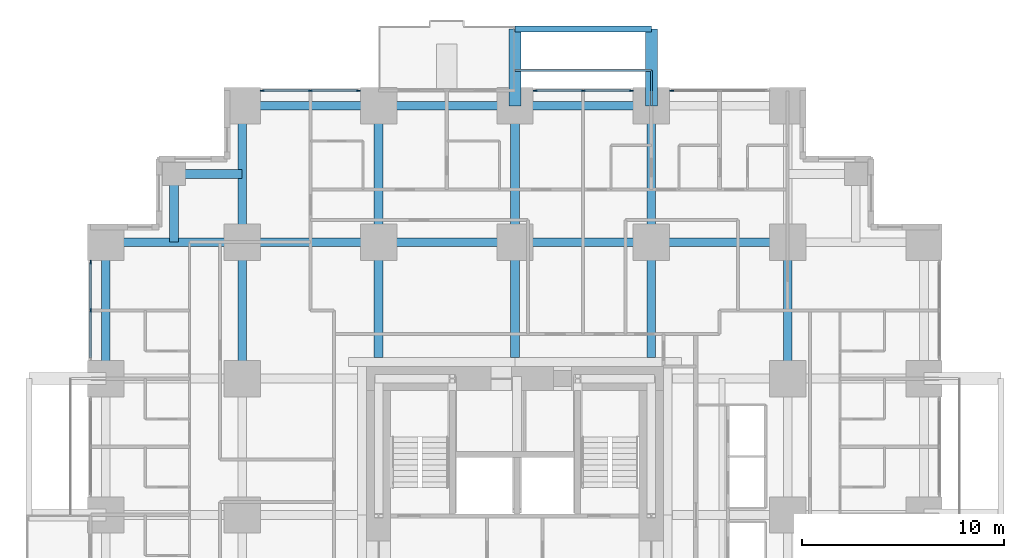
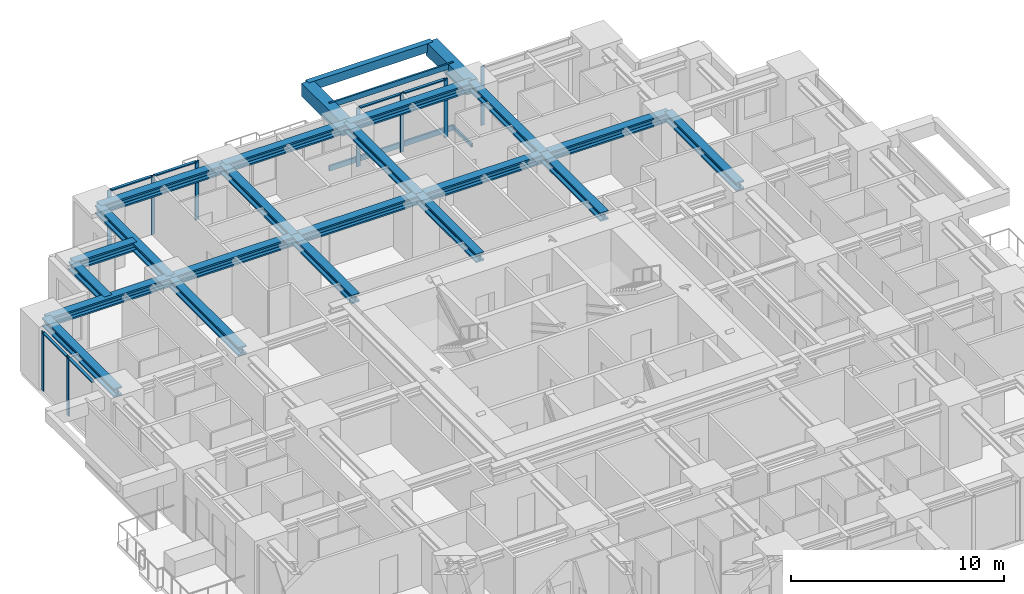
# One storey, part 5 of 15: 23 beams, 18 members, 4 elements without a shape of their own.
"""IFC4 building model written with IfcOpenShell, lengths in metres."""

from ifc_helpers import new_model, si_unit, direction, frame, origin, origin_2d, place, context, subcontext, project, spatial, rectangle, hollow_rectangle, i_section, extrude, material, material_profile, profile_set, type_object, element, aggregate, save


model = new_model("IFC4")

# Units and contexts
model_context = context("Model", 3, precision=1e-05, world=origin(), true_north=direction((0.0, 1.0)))
body_context = subcontext(model_context, "Body", "Model", "MODEL_VIEW")
ifc_project = project(units=[si_unit("LENGTHUNIT", "METRE"), si_unit("AREAUNIT", "SQUARE_METRE"), si_unit("VOLUMEUNIT", "CUBIC_METRE"), si_unit("PLANEANGLEUNIT", "RADIAN"), si_unit("MASSUNIT", "GRAM", prefix="KILO")], contexts=[model_context])

# Site, building, storey
site_placement = place(None, origin())
site = spatial("IfcSite", under=ifc_project, at=site_placement, CompositionType="ELEMENT")
building_placement = place(site_placement, origin())
building = spatial("IfcBuilding", under=site, at=building_placement, Name="Nyansa Garden Tower", CompositionType="ELEMENT")
storey_placement = place(building_placement, frame((0.0, 0.0, 61.199951171875)))
storey = spatial("IfcBuildingStorey", under=building, at=storey_placement, Name="L16", CompositionType="ELEMENT", Elevation=61.199951171875)

# Beams
ifc_material_1 = material(Name="Concrete C70/85", Category="concrete")
ifc_material_profile_1 = material_profile(ifc_material_1, rectangle(XDim=0.60009765625, YDim=0.75, at=origin_2d()), Name="RC 600x750")
ifc_profile_set_1 = profile_set([ifc_material_profile_1], Name="Concrete C70/85")
beam_type_1 = type_object("IfcBeamType", Name="Balcony cantilever beam CB1 RC 600x750", PredefinedType="BEAM", material=ifc_profile_set_1)
for number, where, z_axis, x_axis, name in (
    (1, (20.25, 40.5, 2.985107421875), (0.0, 1.0, 0.0), (-1.0, 0.0, 0.0), "Balcony cantilever beam L17"),
    (2, (27.0, 40.5, 2.985107421875), (0.0, 1.0, 0.0), (-1.0, 0.0, 0.0), "Balcony cantilever beam L17"),
):
    element("IfcBeam", number, at=place(storey_placement, frame(where, z_axis=z_axis, x_axis=x_axis)), inside=storey, type_object=beam_type_1, Name=name, PredefinedType="BEAM", context=body_context, shape_type="SweptSolid", body=[
        extrude(rectangle(XDim=0.60009765625, YDim=0.75, at=origin_2d()), origin(), (0.0, 0.0, 1.0), 3.800048828125),
    ])
ifc_material_2 = material(Name="Concrete C70/85", Category="concrete")
ifc_material_profile_2 = material_profile(ifc_material_2, rectangle(XDim=0.300048828125, YDim=0.5, at=origin_2d()), Name="RC 300x500")
ifc_profile_set_2 = profile_set([ifc_material_profile_2], Name="Concrete C70/85")
beam_type_2 = type_object("IfcBeamType", Name="Balcony edge beam BE1 RC 300x500", PredefinedType="BEAM", material=ifc_profile_set_2)
beam_1_placement = place(storey_placement, frame((20.25, 44.300048828125, 3.110107421875), z_axis=(1.0, 0.0, 0.0), x_axis=(0.0, 1.0, 0.0)))
element("IfcBeam", 3, at=beam_1_placement, inside=storey, type_object=beam_type_2, Name="Balcony edge beam L17", PredefinedType="BEAM", context=body_context, shape_type="SweptSolid", body=[
    extrude(rectangle(XDim=0.300048828125, YDim=0.5, at=origin_2d()), origin(), (0.0, 0.0, 1.0), 6.75),
])

# Curtain wall, members
ifc_material_3 = material(Name="Black anodised aluminium, dark tinted double glazing", Category="aluminium")
curtain_wall_type = type_object("IfcCurtainWallType", Name="Inner skin curtain wall ISW-A", PredefinedType="USERDEFINED", material=ifc_material_3)
curtain_wall_1_placement = place(storey_placement, origin())
curtain_wall_1 = element("IfcCurtainWall", 4, at=curtain_wall_1_placement, inside=storey, type_object=curtain_wall_type, Name="Inner skin curtain wall L16 N", ObjectType="UNITISED CURTAIN WALL", PredefinedType="USERDEFINED")
ifc_material_4 = material(Name="Black anodised aluminium", Category="aluminium")
ifc_material_profile_3 = material_profile(ifc_material_4, rectangle(XDim=0.06494140625, YDim=0.199951171875, at=origin_2d()), Name="Mullion 200x65")
ifc_profile_set_3 = profile_set([ifc_material_profile_3], Name="Black anodised aluminium")
member_type_1 = type_object("IfcMemberType", Name="Mullion ISW-A 200x65", PredefinedType="MULLION", material=ifc_profile_set_3)
member_1_placement = place(storey_placement, frame((12.5, 41.25, 0.0), z_axis=(0.0, 0.0, 1.0), x_axis=(0.0, -1.0, 0.0)))
member_1 = element("IfcMember", 5, at=member_1_placement, type_object=member_type_1, Name="ISW-A mullion 1", PredefinedType="MULLION", context=body_context, shape_type="SweptSolid", body=[
    extrude(rectangle(XDim=0.06494140625, YDim=0.199951171875, at=origin_2d()), origin(), (0.0, 0.0, 1.0), 3.375),
])
member_2_placement = place(storey_placement, frame((10.125, 41.25, 0.0), z_axis=(0.0, 0.0, 1.0), x_axis=(0.0, -1.0, 0.0)))
member_2 = element("IfcMember", 6, at=member_2_placement, type_object=member_type_1, Name="ISW-A mullion 2", PredefinedType="MULLION", context=body_context, shape_type="SweptSolid", body=[
    extrude(rectangle(XDim=0.06494140625, YDim=0.199951171875, at=origin_2d()), origin(), (0.0, 0.0, 1.0), 3.375),
])
member_3_placement = place(storey_placement, frame((7.75, 41.25, 0.0), z_axis=(0.0, 0.0, 1.0), x_axis=(0.0, -1.0, 0.0)))
member_3 = element("IfcMember", 7, at=member_3_placement, type_object=member_type_1, Name="ISW-A mullion 3", PredefinedType="MULLION", context=body_context, shape_type="SweptSolid", body=[
    extrude(rectangle(XDim=0.06494140625, YDim=0.199951171875, at=origin_2d()), origin(), (0.0, 0.0, 1.0), 3.375),
])

# Curtain wall, member
curtain_wall_2_placement = place(storey_placement, origin())
curtain_wall_2 = element("IfcCurtainWall", 8, at=curtain_wall_2_placement, inside=storey, type_object=curtain_wall_type, Name="Inner skin curtain wall L16 N", ObjectType="UNITISED CURTAIN WALL", PredefinedType="USERDEFINED")
member_4_placement = place(storey_placement, frame((28.0, 41.25, 0.0), z_axis=(0.0, 0.0, 1.0), x_axis=(0.0, -1.0, 0.0)))
member_4 = element("IfcMember", 9, at=member_4_placement, type_object=member_type_1, Name="ISW-A mullion 3", PredefinedType="MULLION", context=body_context, shape_type="SweptSolid", body=[
    extrude(rectangle(XDim=0.06494140625, YDim=0.199951171875, at=origin_2d()), origin(), (0.0, 0.0, 1.0), 3.375),
])
aggregate(curtain_wall_2, [member_4])

# Curtain wall, members
curtain_wall_3_placement = place(storey_placement, origin())
curtain_wall_3 = element("IfcCurtainWall", 10, at=curtain_wall_3_placement, inside=storey, type_object=curtain_wall_type, Name="Inner skin curtain wall L16 N", ObjectType="UNITISED CURTAIN WALL", PredefinedType="USERDEFINED")
member_5_placement = place(storey_placement, frame((26.0, 41.25, 0.0), z_axis=(0.0, 0.0, 1.0), x_axis=(0.0, -1.0, 0.0)))
member_5 = element("IfcMember", 11, at=member_5_placement, type_object=member_type_1, Name="ISW-A mullion 1", PredefinedType="MULLION", context=body_context, shape_type="SweptSolid", body=[
    extrude(rectangle(XDim=0.06494140625, YDim=0.199951171875, at=origin_2d()), origin(), (0.0, 0.0, 1.0), 3.375),
])
member_6_placement = place(storey_placement, frame((23.625, 41.25, 0.0), z_axis=(0.0, 0.0, 1.0), x_axis=(0.0, -1.0, 0.0)))
member_6 = element("IfcMember", 12, at=member_6_placement, type_object=member_type_1, Name="ISW-A mullion 2", PredefinedType="MULLION", context=body_context, shape_type="SweptSolid", body=[
    extrude(rectangle(XDim=0.06494140625, YDim=0.199951171875, at=origin_2d()), origin(), (0.0, 0.0, 1.0), 3.375),
])
member_7_placement = place(storey_placement, frame((21.25, 41.25, 0.0), z_axis=(0.0, 0.0, 1.0), x_axis=(0.0, -1.0, 0.0)))
member_7 = element("IfcMember", 13, at=member_7_placement, type_object=member_type_1, Name="ISW-A mullion 3", PredefinedType="MULLION", context=body_context, shape_type="SweptSolid", body=[
    extrude(rectangle(XDim=0.06494140625, YDim=0.199951171875, at=origin_2d()), origin(), (0.0, 0.0, 1.0), 3.375),
])

curtain_wall_4_placement = place(storey_placement, origin())
curtain_wall_4 = element("IfcCurtainWall", 14, at=curtain_wall_4_placement, inside=storey, type_object=curtain_wall_type, Name="Inner skin curtain wall L16 W", ObjectType="UNITISED CURTAIN WALL", PredefinedType="USERDEFINED")
member_8_placement = place(storey_placement, frame((-0.75, 32.75, 0.0), z_axis=(0.0, 0.0, 1.0), x_axis=(1.0, 0.0, 0.0)))
member_8 = element("IfcMember", 15, at=member_8_placement, type_object=member_type_1, Name="ISW-A mullion 1", PredefinedType="MULLION", context=body_context, shape_type="SweptSolid", body=[
    extrude(rectangle(XDim=0.06494140625, YDim=0.199951171875, at=origin_2d()), origin(), (0.0, 0.0, 1.0), 3.375),
])
member_9_placement = place(storey_placement, frame((-0.75, 30.375, 0.0), z_axis=(0.0, 0.0, 1.0), x_axis=(1.0, 0.0, 0.0)))
member_9 = element("IfcMember", 16, at=member_9_placement, type_object=member_type_1, Name="ISW-A mullion 2", PredefinedType="MULLION", context=body_context, shape_type="SweptSolid", body=[
    extrude(rectangle(XDim=0.06494140625, YDim=0.199951171875, at=origin_2d()), origin(), (0.0, 0.0, 1.0), 3.375),
])

# Members
ifc_material_5 = material(Name="Steel S355, black powder coated", Category="steel")
ifc_material_profile_4 = material_profile(ifc_material_5, hollow_rectangle(XDim=0.10009765625, YDim=0.199951171875, WallThickness=0.008056640625, at=origin_2d()), Name="RHS 200x100x8")
ifc_profile_set_4 = profile_set([ifc_material_profile_4], Name="Steel S355, black powder coated")
member_type_2 = type_object("IfcMemberType", Name="Outer skin bracket arm RHS 200x100x8", PredefinedType="USERDEFINED", material=ifc_profile_set_4)
member_10_placement = place(storey_placement, frame((27.0, 40.5, -0.375), z_axis=(0.0, 1.0, 0.0), x_axis=(-1.0, 0.0, 0.0)))
element("IfcMember", 17, at=member_10_placement, inside=storey, type_object=member_type_2, Name="Outer skin bracket arm", ObjectType="OUTER SKIN BRACKET", PredefinedType="USERDEFINED", context=body_context, shape_type="SweptSolid", body=[
    extrude(hollow_rectangle(XDim=0.10009765625, YDim=0.199951171875, WallThickness=0.008056640625, at=origin_2d()), origin(), (0.0, 0.0, 1.0), 1.75),
])
ifc_material_6 = material(Name="Steel S355, black powder coated", Category="steel")
ifc_material_profile_5 = material_profile(ifc_material_6, hollow_rectangle(XDim=0.10009765625, YDim=0.300048828125, WallThickness=0.010009765625, at=origin_2d()), Name="RHS 300x100x10")
ifc_profile_set_5 = profile_set([ifc_material_profile_5], Name="Steel S355, black powder coated")
member_type_3 = type_object("IfcMemberType", Name="Outer skin rail RHS 300x100x10", PredefinedType="USERDEFINED", material=ifc_profile_set_5)
for number, where, z_axis, x_axis, name in (
    (18, (20.25, 42.25, -0.375), (1.0, 0.0, 0.0), (0.0, 1.0, 0.0), "Outer skin rail L16"),
    (19, (20.25, 42.25, 3.22509765625), (1.0, 0.0, 0.0), (0.0, 1.0, 0.0), "Outer skin rail L16 head"),
):
    element("IfcMember", number, at=place(storey_placement, frame(where, z_axis=z_axis, x_axis=x_axis)), inside=storey, type_object=member_type_3, Name=name, ObjectType="OUTER SKIN RAIL", PredefinedType="USERDEFINED", context=body_context, shape_type="SweptSolid", body=[
        extrude(hollow_rectangle(XDim=0.10009765625, YDim=0.300048828125, WallThickness=0.010009765625, at=origin_2d()), origin(), (0.0, 0.0, 1.0), 6.75),
    ])

# Beams
ifc_material_7 = material(Name="Steel S355", Category="steel")
ifc_material_profile_6 = material_profile(ifc_material_7, i_section(OverallWidth=0.431884765625, OverallDepth=0.498046875, WebThickness=0.0556640625, FlangeThickness=0.0888671875, FilletRadius=0.014892578125, at=origin_2d()), Name="HD 400x744")
ifc_profile_set_6 = profile_set([ifc_material_profile_6], Name="Steel S355")
beam_type_3 = type_object("IfcBeamType", Name="Steel beam SBA1-744 HD 400x744", PredefinedType="BEAM", material=ifc_profile_set_6)
for number, where, z_axis, x_axis, name in (
    (20, (0.0, 33.75, 3.1259765625), (1.0, 0.0, 0.0), (0.0, 1.0, 0.0), "Steel beam 2/J-3/J L17"),
    (21, (6.75, 27.0, 3.1259765625), (0.0, 1.0, 0.0), (-1.0, 0.0, 0.0), "Steel beam 3/H-3/J L17"),
    (22, (6.75, 33.75, 3.1259765625), (0.0, 1.0, 0.0), (-1.0, 0.0, 0.0), "Steel beam 3/J-3/K L17"),
    (23, (6.75, 33.75, 3.1259765625), (1.0, 0.0, 0.0), (0.0, 1.0, 0.0), "Steel beam 3/J-4/J L17"),
):
    element("IfcBeam", number, at=place(storey_placement, frame(where, z_axis=z_axis, x_axis=x_axis)), inside=storey, type_object=beam_type_3, Name=name, PredefinedType="BEAM", context=body_context, shape_type="SweptSolid", body=[
        extrude(i_section(OverallWidth=0.431884765625, OverallDepth=0.498046875, WebThickness=0.0556640625, FlangeThickness=0.0888671875, FilletRadius=0.014892578125, at=origin_2d()), origin(), (0.0, 0.0, 1.0), 6.75),
    ])
beam_2_placement = place(storey_placement, frame((13.5, 28.050048828125, 3.1259765625), z_axis=(0.0, 1.0, 0.0), x_axis=(-1.0, 0.0, 0.0)))
element("IfcBeam", 24, at=beam_2_placement, inside=storey, type_object=beam_type_3, Name="Steel beam 4/28.050-4/J L17", PredefinedType="BEAM", context=body_context, shape_type="SweptSolid", body=[
    extrude(i_section(OverallWidth=0.431884765625, OverallDepth=0.498046875, WebThickness=0.0556640625, FlangeThickness=0.0888671875, FilletRadius=0.014892578125, at=origin_2d()), origin(), (0.0, 0.0, 1.0), 5.699951171875),
])
for number, where, z_axis, x_axis, name in (
    (25, (13.5, 33.75, 3.1259765625), (0.0, 1.0, 0.0), (-1.0, 0.0, 0.0), "Steel beam 4/J-4/K L17"),
    (26, (13.5, 33.75, 3.1259765625), (1.0, 0.0, 0.0), (0.0, 1.0, 0.0), "Steel beam 4/J-5/J L17"),
):
    element("IfcBeam", number, at=place(storey_placement, frame(where, z_axis=z_axis, x_axis=x_axis)), inside=storey, type_object=beam_type_3, Name=name, PredefinedType="BEAM", context=body_context, shape_type="SweptSolid", body=[
        extrude(i_section(OverallWidth=0.431884765625, OverallDepth=0.498046875, WebThickness=0.0556640625, FlangeThickness=0.0888671875, FilletRadius=0.014892578125, at=origin_2d()), origin(), (0.0, 0.0, 1.0), 6.75),
    ])
beam_3_placement = place(storey_placement, frame((20.25, 28.050048828125, 3.1259765625), z_axis=(0.0, 1.0, 0.0), x_axis=(-1.0, 0.0, 0.0)))
element("IfcBeam", 27, at=beam_3_placement, inside=storey, type_object=beam_type_3, Name="Steel beam 5/28.050-5/J L17", PredefinedType="BEAM", context=body_context, shape_type="SweptSolid", body=[
    extrude(i_section(OverallWidth=0.431884765625, OverallDepth=0.498046875, WebThickness=0.0556640625, FlangeThickness=0.0888671875, FilletRadius=0.014892578125, at=origin_2d()), origin(), (0.0, 0.0, 1.0), 5.699951171875),
])
for number, where, z_axis, x_axis, name in (
    (28, (20.25, 33.75, 3.1259765625), (0.0, 1.0, 0.0), (-1.0, 0.0, 0.0), "Steel beam 5/J-5/K L17"),
    (29, (20.25, 33.75, 3.1259765625), (1.0, 0.0, 0.0), (0.0, 1.0, 0.0), "Steel beam 5/J-6/J L17"),
):
    element("IfcBeam", number, at=place(storey_placement, frame(where, z_axis=z_axis, x_axis=x_axis)), inside=storey, type_object=beam_type_3, Name=name, PredefinedType="BEAM", context=body_context, shape_type="SweptSolid", body=[
        extrude(i_section(OverallWidth=0.431884765625, OverallDepth=0.498046875, WebThickness=0.0556640625, FlangeThickness=0.0888671875, FilletRadius=0.014892578125, at=origin_2d()), origin(), (0.0, 0.0, 1.0), 6.75),
    ])
beam_4_placement = place(storey_placement, frame((27.0, 28.050048828125, 3.1259765625), z_axis=(0.0, 1.0, 0.0), x_axis=(-1.0, 0.0, 0.0)))
element("IfcBeam", 30, at=beam_4_placement, inside=storey, type_object=beam_type_3, Name="Steel beam 6/28.050-6/J L17", PredefinedType="BEAM", context=body_context, shape_type="SweptSolid", body=[
    extrude(i_section(OverallWidth=0.431884765625, OverallDepth=0.498046875, WebThickness=0.0556640625, FlangeThickness=0.0888671875, FilletRadius=0.014892578125, at=origin_2d()), origin(), (0.0, 0.0, 1.0), 5.699951171875),
])
for number, where, z_axis, x_axis, name in (
    (31, (27.0, 33.75, 3.1259765625), (0.0, 1.0, 0.0), (-1.0, 0.0, 0.0), "Steel beam 6/J-6/K L17"),
    (32, (27.0, 33.75, 3.1259765625), (1.0, 0.0, 0.0), (0.0, 1.0, 0.0), "Steel beam 6/J-7/J L17"),
    (33, (33.75, 27.0, 3.1259765625), (0.0, 1.0, 0.0), (-1.0, 0.0, 0.0), "Steel beam 7/H-7/J L17"),
):
    element("IfcBeam", number, at=place(storey_placement, frame(where, z_axis=z_axis, x_axis=x_axis)), inside=storey, type_object=beam_type_3, Name=name, PredefinedType="BEAM", context=body_context, shape_type="SweptSolid", body=[
        extrude(i_section(OverallWidth=0.431884765625, OverallDepth=0.498046875, WebThickness=0.0556640625, FlangeThickness=0.0888671875, FilletRadius=0.014892578125, at=origin_2d()), origin(), (0.0, 0.0, 1.0), 6.75),
    ])
ifc_material_8 = material(Name="Steel S355", Category="steel")
ifc_material_profile_7 = material_profile(ifc_material_8, i_section(OverallWidth=0.431884765625, OverallDepth=0.498046875, WebThickness=0.0556640625, FlangeThickness=0.0888671875, FilletRadius=0.014892578125, at=origin_2d()), Name="HD 400x744")
ifc_profile_set_7 = profile_set([ifc_material_profile_7], Name="Steel S355")
beam_type_4 = type_object("IfcBeamType", Name="Steel beam SEBA-744 HD 400x744", PredefinedType="BEAM", material=ifc_profile_set_7)
for number, where, z_axis, x_axis, name in (
    (34, (0.0, 27.0, 3.1259765625), (0.0, 1.0, 0.0), (-1.0, 0.0, 0.0), "Steel edge beam 2/H-2/J L17"),
    (35, (6.75, 40.5, 3.1259765625), (1.0, 0.0, 0.0), (0.0, 1.0, 0.0), "Steel edge beam 3/K-4/K L17"),
    (36, (13.5, 40.5, 3.1259765625), (1.0, 0.0, 0.0), (0.0, 1.0, 0.0), "Steel edge beam 4/K-5/K L17"),
    (37, (20.25, 40.5, 3.1259765625), (1.0, 0.0, 0.0), (0.0, 1.0, 0.0), "Steel edge beam 5/K-6/K L17"),
):
    element("IfcBeam", number, at=place(storey_placement, frame(where, z_axis=z_axis, x_axis=x_axis)), inside=storey, type_object=beam_type_4, Name=name, PredefinedType="BEAM", context=body_context, shape_type="SweptSolid", body=[
        extrude(i_section(OverallWidth=0.431884765625, OverallDepth=0.498046875, WebThickness=0.0556640625, FlangeThickness=0.0888671875, FilletRadius=0.014892578125, at=origin_2d()), origin(), (0.0, 0.0, 1.0), 6.75),
    ])
ifc_material_9 = material(Name="Steel S355", Category="steel")
ifc_material_profile_8 = material_profile(ifc_material_9, i_section(OverallWidth=0.431884765625, OverallDepth=0.498046875, WebThickness=0.0556640625, FlangeThickness=0.0888671875, FilletRadius=0.014892578125, at=origin_2d()), Name="HD 400x744")
ifc_profile_set_8 = profile_set([ifc_material_profile_8], Name="Steel S355")
beam_type_5 = type_object("IfcBeamType", Name="Steel beam SSB1-744 HD 400x744", PredefinedType="BEAM", material=ifc_profile_set_8)
for number, where, z_axis, x_axis, name in (
    (38, (3.375, 37.125, 3.1259765625), (0.0, -1.0, 0.0), (1.0, 0.0, 0.0), "Steel step beam 3.375/37.125 L17"),
    (39, (3.375, 37.125, 3.1259765625), (1.0, 0.0, 0.0), (0.0, 1.0, 0.0), "Steel step beam 3.375/37.125 L17"),
):
    element("IfcBeam", number, at=place(storey_placement, frame(where, z_axis=z_axis, x_axis=x_axis)), inside=storey, type_object=beam_type_5, Name=name, PredefinedType="BEAM", context=body_context, shape_type="SweptSolid", body=[
        extrude(i_section(OverallWidth=0.431884765625, OverallDepth=0.498046875, WebThickness=0.0556640625, FlangeThickness=0.0888671875, FilletRadius=0.014892578125, at=origin_2d()), origin(), (0.0, 0.0, 1.0), 3.375),
    ])

# Member
ifc_material_10 = material(Name="Black anodised aluminium", Category="aluminium")
ifc_material_profile_9 = material_profile(ifc_material_10, rectangle(XDim=0.14990234375, YDim=0.06494140625, at=origin_2d()), Name="Transom 150x65")
ifc_profile_set_9 = profile_set([ifc_material_profile_9], Name="Black anodised aluminium")
member_type_4 = type_object("IfcMemberType", Name="Transom ISW-A 150x65", PredefinedType="USERDEFINED", material=ifc_profile_set_9)
member_11_placement = place(storey_placement, frame((12.467529296875, 41.25, 3.342529296875), z_axis=(-1.0, 0.0, 0.0), x_axis=(0.0, -1.0, 0.0)))
member_11 = element("IfcMember", 40, at=member_11_placement, type_object=member_type_4, Name="ISW-A transom 1", ObjectType="TRANSOM", PredefinedType="USERDEFINED", context=body_context, shape_type="SweptSolid", body=[
    extrude(rectangle(XDim=0.14990234375, YDim=0.06494140625, at=origin_2d()), origin(), (0.0, 0.0, 1.0), 2.31005859375),
])

member_12_placement = place(storey_placement, frame((10.092529296875, 41.25, 3.342529296875), z_axis=(-1.0, 0.0, 0.0), x_axis=(0.0, -1.0, 0.0)))
member_12 = element("IfcMember", 41, at=member_12_placement, type_object=member_type_4, Name="ISW-A transom 2", ObjectType="TRANSOM", PredefinedType="USERDEFINED", context=body_context, shape_type="SweptSolid", body=[
    extrude(rectangle(XDim=0.14990234375, YDim=0.06494140625, at=origin_2d()), origin(), (0.0, 0.0, 1.0), 2.31005859375),
])

aggregate(curtain_wall_1, [member_1, member_2, member_3, member_11, member_12])

member_13_placement = place(storey_placement, frame((25.967529296875, 41.25, 3.342529296875), z_axis=(-1.0, 0.0, 0.0), x_axis=(0.0, -1.0, 0.0)))
member_13 = element("IfcMember", 42, at=member_13_placement, type_object=member_type_4, Name="ISW-A transom 1", ObjectType="TRANSOM", PredefinedType="USERDEFINED", context=body_context, shape_type="SweptSolid", body=[
    extrude(rectangle(XDim=0.14990234375, YDim=0.06494140625, at=origin_2d()), origin(), (0.0, 0.0, 1.0), 2.31005859375),
])

member_14_placement = place(storey_placement, frame((23.592529296875, 41.25, 3.342529296875), z_axis=(-1.0, 0.0, 0.0), x_axis=(0.0, -1.0, 0.0)))
member_14 = element("IfcMember", 43, at=member_14_placement, type_object=member_type_4, Name="ISW-A transom 2", ObjectType="TRANSOM", PredefinedType="USERDEFINED", context=body_context, shape_type="SweptSolid", body=[
    extrude(rectangle(XDim=0.14990234375, YDim=0.06494140625, at=origin_2d()), origin(), (0.0, 0.0, 1.0), 2.31005859375),
])

aggregate(curtain_wall_3, [member_5, member_6, member_7, member_13, member_14])

member_15_placement = place(storey_placement, frame((-0.75, 32.717529296875, 3.342529296875), z_axis=(0.0, -1.0, 0.0), x_axis=(1.0, 0.0, 0.0)))
member_15 = element("IfcMember", 44, at=member_15_placement, type_object=member_type_4, Name="ISW-A transom 1", ObjectType="TRANSOM", PredefinedType="USERDEFINED", context=body_context, shape_type="SweptSolid", body=[
    extrude(rectangle(XDim=0.14990234375, YDim=0.06494140625, at=origin_2d()), origin(), (0.0, 0.0, 1.0), 2.31005859375),
])

member_16_placement = place(storey_placement, frame((-0.75, 30.342529296875, 3.342529296875), z_axis=(0.0, -1.0, 0.0), x_axis=(1.0, 0.0, 0.0)))
member_16 = element("IfcMember", 45, at=member_16_placement, type_object=member_type_4, Name="ISW-A transom 2", ObjectType="TRANSOM", PredefinedType="USERDEFINED", context=body_context, shape_type="SweptSolid", body=[
    extrude(rectangle(XDim=0.14990234375, YDim=0.06494140625, at=origin_2d()), origin(), (0.0, 0.0, 1.0), 2.31005859375),
])

aggregate(curtain_wall_4, [member_8, member_9, member_15, member_16])

save(model, "model.ifc")
